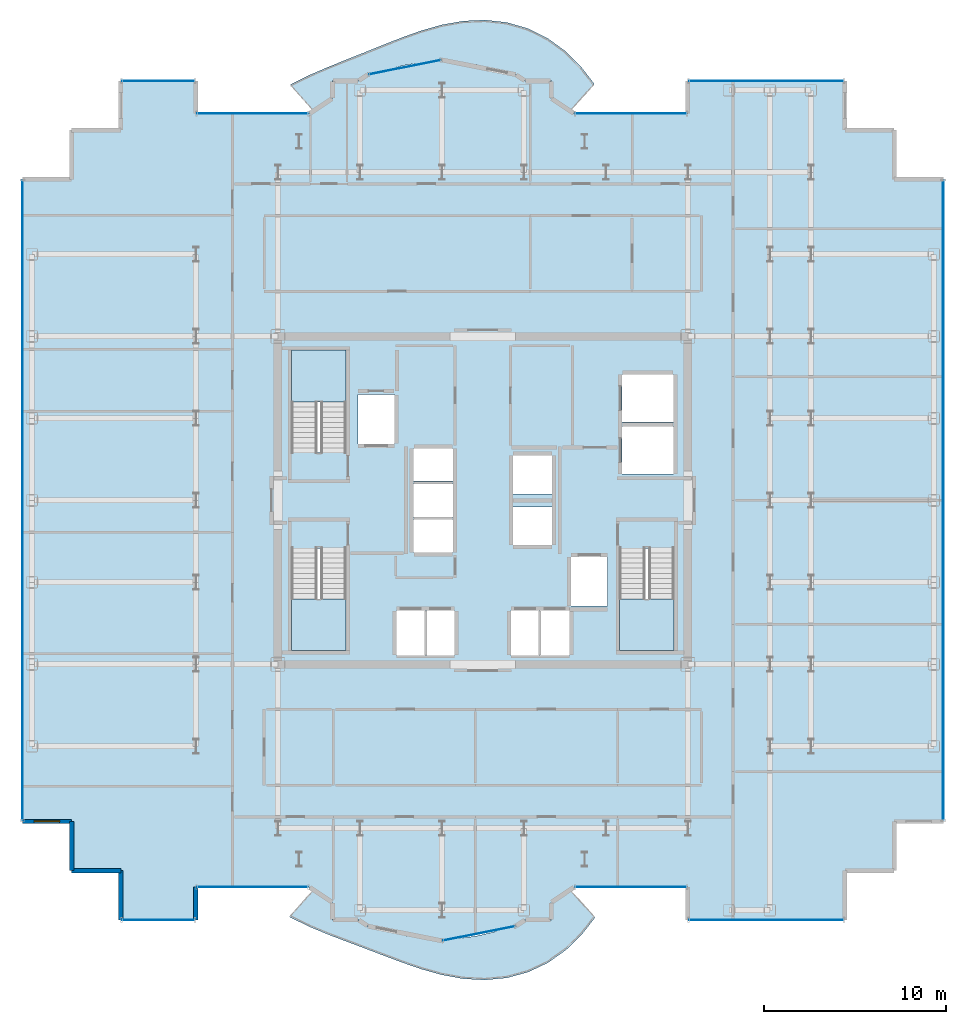
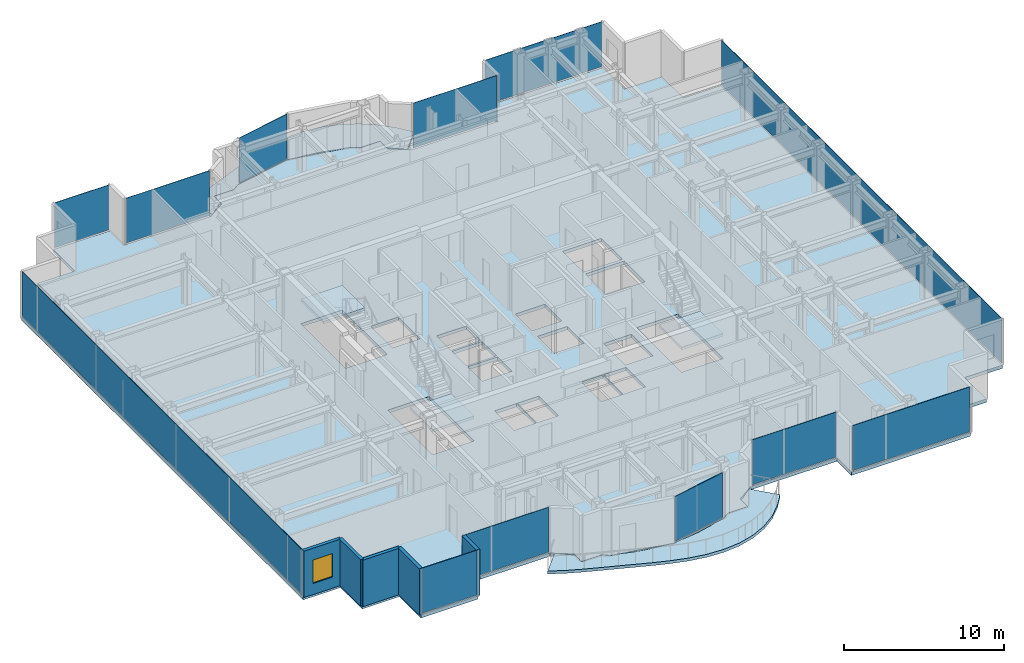
# One storey, part 13 of 21: 12 plates, 6 slabs, 5 walls, 1 window, 1 opening, 15 elements without a shape of their own.
"""IFC4 building model written with IfcOpenShell, lengths in metres."""

from ifc_helpers import new_model, si_unit, direction, frame, frame_2d, origin, origin_2d, place, context, subcontext, project, spatial, polyline, rectangle, outline, extrude, source, transform, mapped, material, layer, layer_set, type_object, element, fill, aggregate, save


model = new_model("IFC4")

# Units and contexts
model_context = context("Model", 3, precision=1e-05, world=origin(), true_north=direction((0.0, 1.0)))
body_context = subcontext(model_context, "Body", "Model", "MODEL_VIEW")
ifc_project = project(units=[si_unit("LENGTHUNIT", "METRE"), si_unit("AREAUNIT", "SQUARE_METRE"), si_unit("VOLUMEUNIT", "CUBIC_METRE"), si_unit("PLANEANGLEUNIT", "RADIAN"), si_unit("MASSUNIT", "GRAM", prefix="KILO")], contexts=[model_context])

# Site, building, storey
site_placement = place(None, origin())
site = spatial("IfcSite", under=ifc_project, at=site_placement, CompositionType="ELEMENT")
building_placement = place(site_placement, origin())
building = spatial("IfcBuilding", under=site, at=building_placement, Name="Nefas-Gora Pilgrimage Tower", CompositionType="ELEMENT")
storey_placement = place(building_placement, frame((0.0, 0.0, 210.39990234375)))
storey = spatial("IfcBuildingStorey", under=building, at=storey_placement, Name="L52", CompositionType="ELEMENT", Elevation=210.39990234375)

# Slabs
ifc_material_1 = material(Name="Concrete C40/50", Category="concrete")
ifc_layer_1 = layer(ifc_material_1, 0.219970703125)
ifc_layer_set_1 = layer_set([ifc_layer_1], Name="Concrete C40/50")
slab_type_1 = type_object("IfcSlabType", Name="SLB-BAL-P0", PredefinedType="FLOOR", material=ifc_layer_set_1)
slab_1_placement = place(storey_placement, frame((0.0, 0.0, -0.219970703125)))
element("IfcSlab", 1, at=slab_1_placement, inside=storey, type_object=slab_type_1, Name="L52 Sinusoidal Lobe Balcony Slab N (Phase 0)", PredefinedType="FLOOR", context=body_context, shape_type="SweptSolid", body=[
    extrude(outline(polyline([(-9.28759765625, 21.385986328125), (-9.224609375, 21.427978515625), (-8.538330078125, 21.9912109375), (-8.260009765625, 22.179931640625), (-8.260009765625, 23.02001953125), (-8.260009765625, 23.02099609375), (-8.259765625, 23.02197265625), (-8.259521484375, 23.02294921875), (-8.25927734375, 23.023681640625), (-8.2587890625, 23.024658203125), (-8.25830078125, 23.025634765625), (-8.2578125, 23.0263671875), (-8.257080078125, 23.027099609375), (-8.25634765625, 23.027587890625), (-8.255615234375, 23.0283203125), (-8.254638671875, 23.02880859375), (-8.25390625, 23.029296875), (-8.2529296875, 23.029541015625), (-8.251953125, 23.02978515625), (-8.2509765625, 23.030029296875), (-8.25, 23.030029296875), (-6.8271484375, 23.030029296875), (-6.31298828125, 23.37353515625), (-6.31201171875, 23.3740234375), (-6.311279296875, 23.37451171875), (-6.310302734375, 23.375), (-6.309326171875, 23.375), (-5.63037109375, 23.51025390625), (-5.102783203125, 23.685302734375), (-4.165283203125, 23.904052734375), (-3.211669921875, 24.035888671875), (-2.919921875, 24.04931640625), (-2.251953125, 24.18212890625), (-2.2509765625, 24.182373046875), (-2.25, 24.182373046875), (-2.2490234375, 24.182373046875), (-2.248046875, 24.18212890625), (-1.580078125, 24.04931640625), (-1.288330078125, 24.035888671875), (-0.334716796875, 23.904052734375), (0.602783203125, 23.685302734375), (1.13037109375, 23.51025390625), (1.809326171875, 23.375), (1.810302734375, 23.375), (1.811279296875, 23.37451171875), (1.81201171875, 23.3740234375), (1.81298828125, 23.37353515625), (2.3271484375, 23.030029296875), (3.75, 23.030029296875), (3.7509765625, 23.030029296875), (3.751953125, 23.02978515625), (3.7529296875, 23.029541015625), (3.75390625, 23.029296875), (3.754638671875, 23.02880859375), (3.755615234375, 23.0283203125), (3.75634765625, 23.027587890625), (3.757080078125, 23.027099609375), (3.7578125, 23.0263671875), (3.75830078125, 23.025634765625), (3.7587890625, 23.024658203125), (3.75927734375, 23.023681640625), (3.759521484375, 23.02294921875), (3.759765625, 23.02197265625), (3.760009765625, 23.02099609375), (3.760009765625, 23.02001953125), (3.760009765625, 22.179931640625), (4.038330078125, 21.9912109375), (4.724609375, 21.427978515625), (4.78759765625, 21.385986328125), (6.114013671875, 22.859375), (5.38720703125, 23.797607421875), (4.537109375, 24.6455078125), (3.562744140625, 25.357177734375), (2.48046875, 25.89306640625), (1.3203125, 26.2294921875), (0.120849609375, 26.3623046875), (-1.07958984375, 26.3076171875), (-2.25, 26.09912109375), (-3.3720703125, 25.78125), (-4.4423828125, 25.39990234375), (-5.471923828125, 24.993896484375), (-6.479248046875, 24.58740234375), (-7.485107421875, 24.18603515625), (-8.50439453125, 23.7763671875), (-9.539306640625, 23.331298828125), (-10.5751953125, 22.816162109375), (-9.28759765625, 21.385986328125)])), origin(), (0.0, 0.0, 1.0), 0.219970703125),
])
ifc_layer_2 = layer(ifc_material_1, 0.22509765625)
ifc_layer_set_2 = layer_set([ifc_layer_2], Name="Concrete C40/50")
slab_type_2 = type_object("IfcSlabType", Name="SLB-BAL-P4", PredefinedType="FLOOR", material=ifc_layer_set_2)
slab_2_placement = place(storey_placement, frame((0.0, 0.0, -0.224853515625)))
element("IfcSlab", 2, at=slab_2_placement, inside=storey, type_object=slab_type_2, Name="L52 Sinusoidal Lobe Balcony Slab S (Phase 4)", PredefinedType="FLOOR", context=body_context, shape_type="SweptSolid", body=[
    extrude(outline(polyline([(4.78759765625, -21.385986328125), (4.724609375, -21.427978515625), (4.038330078125, -21.9912109375), (3.760009765625, -22.179931640625), (3.760009765625, -23.02001953125), (3.760009765625, -23.02099609375), (3.759765625, -23.02197265625), (3.759521484375, -23.02294921875), (3.75927734375, -23.023681640625), (3.7587890625, -23.024658203125), (3.75830078125, -23.025634765625), (3.7578125, -23.0263671875), (3.757080078125, -23.027099609375), (3.75634765625, -23.027587890625), (3.755615234375, -23.0283203125), (3.754638671875, -23.02880859375), (3.75390625, -23.029296875), (3.7529296875, -23.029541015625), (3.751953125, -23.02978515625), (3.7509765625, -23.030029296875), (3.75, -23.030029296875), (2.3271484375, -23.030029296875), (1.81298828125, -23.37353515625), (1.81201171875, -23.3740234375), (1.811279296875, -23.37451171875), (1.810302734375, -23.375), (1.809326171875, -23.375), (1.13037109375, -23.51025390625), (0.602783203125, -23.685302734375), (-0.334716796875, -23.904052734375), (-1.288330078125, -24.035888671875), (-1.580078125, -24.04931640625), (-2.248046875, -24.18212890625), (-2.2490234375, -24.182373046875), (-2.25, -24.182373046875), (-2.2509765625, -24.182373046875), (-2.251953125, -24.18212890625), (-2.919921875, -24.04931640625), (-3.211669921875, -24.035888671875), (-4.165283203125, -23.904052734375), (-5.102783203125, -23.685302734375), (-5.63037109375, -23.51025390625), (-6.309326171875, -23.375), (-6.310302734375, -23.375), (-6.311279296875, -23.37451171875), (-6.31201171875, -23.3740234375), (-6.31298828125, -23.37353515625), (-6.8271484375, -23.030029296875), (-8.25, -23.030029296875), (-8.2509765625, -23.030029296875), (-8.251953125, -23.02978515625), (-8.2529296875, -23.029541015625), (-8.25390625, -23.029296875), (-8.254638671875, -23.02880859375), (-8.255615234375, -23.0283203125), (-8.25634765625, -23.027587890625), (-8.257080078125, -23.027099609375), (-8.2578125, -23.0263671875), (-8.25830078125, -23.025634765625), (-8.2587890625, -23.024658203125), (-8.25927734375, -23.023681640625), (-8.259521484375, -23.02294921875), (-8.259765625, -23.02197265625), (-8.260009765625, -23.02099609375), (-8.260009765625, -23.02001953125), (-8.260009765625, -22.179931640625), (-8.538330078125, -21.9912109375), (-9.224609375, -21.427978515625), (-9.28759765625, -21.385986328125), (-10.614013671875, -22.859375), (-9.57080078125, -23.373779296875), (-8.525390625, -23.810302734375), (-7.494384765625, -24.20458984375), (-6.478759765625, -24.58642578125), (-5.465576171875, -24.9716796875), (-4.43505859375, -25.359130859375), (-3.3671875, -25.7275390625), (-2.25, -26.041015625), (-1.08447265625, -26.25390625), (0.11328125, -26.321533203125), (1.314208984375, -26.20751953125), (2.47998046875, -25.89208984375), (3.572021484375, -25.375732421875), (4.55810546875, -24.6796875), (5.4189453125, -23.840087890625), (6.153076171875, -22.902587890625), (4.78759765625, -21.385986328125)])), origin(), (0.0, 0.0, 1.0), 0.224853515625),
])
ifc_layer_3 = layer(ifc_material_1, 0.25)
ifc_layer_set_3 = layer_set([ifc_layer_3], Name="Concrete C40/50")
slab_type_3 = type_object("IfcSlabType", Name="SLB-TWR-260", PredefinedType="FLOOR", material=ifc_layer_set_3)
slab_3_placement = place(storey_placement, frame((0.0, 0.0, -0.25)))
element("IfcSlab", 3, at=slab_3_placement, inside=storey, type_object=slab_type_3, Name="L52 Structural Floor Slab", PredefinedType="FLOOR", context=body_context, shape_type="SweptSolid", body=[
    extrude(outline(polyline([(5.01806640625, -21.219970703125), (11.25, -21.219970703125), (11.25, -23.02001953125), (19.8701171875, -23.02001953125), (19.8701171875, -20.320068359375), (22.570068359375, -20.320068359375), (22.570068359375, -17.6201171875), (25.27001953125, -17.6201171875), (25.27001953125, 17.6201171875), (22.570068359375, 17.6201171875), (22.570068359375, 20.320068359375), (19.8701171875, 20.320068359375), (19.8701171875, 23.02001953125), (11.25, 23.02001953125), (11.25, 21.219970703125), (5.01806640625, 21.219970703125), (3.75, 22.0673828125), (3.75, 23.02001953125), (2.32421875, 23.02001953125), (1.807373046875, 23.365234375), (-2.25, 24.17236328125), (-6.307373046875, 23.365234375), (-6.82421875, 23.02001953125), (-8.25, 23.02001953125), (-8.25, 22.0673828125), (-9.51806640625, 21.219970703125), (-15.75, 21.219970703125), (-15.75, 23.02001953125), (-19.8701171875, 23.02001953125), (-19.8701171875, 20.320068359375), (-22.570068359375, 20.320068359375), (-22.570068359375, 17.6201171875), (-25.27001953125, 17.6201171875), (-25.27001953125, -17.6201171875), (-22.570068359375, -17.6201171875), (-22.570068359375, -20.320068359375), (-19.8701171875, -20.320068359375), (-19.8701171875, -23.02001953125), (-15.75, -23.02001953125), (-15.75, -21.219970703125), (-9.51806640625, -21.219970703125), (-8.25, -22.0673828125), (-8.25, -23.02001953125), (-6.82421875, -23.02001953125), (-6.307373046875, -23.365234375), (-2.25, -24.17236328125), (1.807373046875, -23.365234375), (2.32421875, -23.02001953125), (3.75, -23.02001953125), (3.75, -22.0673828125), (5.01806640625, -21.219970703125)]), holes=[polyline([(-10.5, 2.639892578125), (-10.5, 8.25), (-7.5, 8.25), (-7.5, 2.639892578125), (-10.5, 2.639892578125)]), polyline([(10.5, -2.639892578125), (10.5, -8.25), (7.5, -8.25), (7.5, -2.639892578125), (10.5, -2.639892578125)]), polyline([(-7.5, -2.639892578125), (-7.5, -8.25), (-10.5, -8.25), (-10.5, -2.639892578125), (-7.5, -2.639892578125)]), polyline([(-6.85009765625, 5.800048828125), (-4.85009765625, 5.800048828125), (-4.85009765625, 3.10009765625), (-6.85009765625, 3.10009765625), (-6.85009765625, 5.800048828125)]), polyline([(4.85009765625, -3.10009765625), (6.85009765625, -3.10009765625), (6.85009765625, -5.800048828125), (4.85009765625, -5.800048828125), (4.85009765625, -3.10009765625)]), polyline([(7.64990234375, 4.050048828125), (10.449951171875, 4.050048828125), (10.449951171875, 1.449951171875), (7.64990234375, 1.449951171875), (7.64990234375, 4.050048828125)]), polyline([(7.64990234375, 6.89990234375), (10.449951171875, 6.89990234375), (10.449951171875, 4.300048828125), (7.64990234375, 4.300048828125), (7.64990234375, 6.89990234375)]), polyline([(-4.75, -6.050048828125), (-3.14990234375, -6.050048828125), (-3.14990234375, -8.5), (-4.75, -8.5), (-4.75, -6.050048828125)]), polyline([(-3.10009765625, -6.050048828125), (-1.550048828125, -6.050048828125), (-1.550048828125, -8.5), (-3.10009765625, -8.5), (-3.10009765625, -6.050048828125)]), polyline([(1.550048828125, -6.050048828125), (3.10009765625, -6.050048828125), (3.10009765625, -8.5), (1.550048828125, -8.5), (1.550048828125, -6.050048828125)]), polyline([(3.14990234375, -6.050048828125), (4.75, -6.050048828125), (4.75, -8.5), (3.14990234375, -8.5), (3.14990234375, -6.050048828125)]), polyline([(-3.800048828125, -1.050048828125), (-1.64990234375, -1.050048828125), (-1.64990234375, -2.85009765625), (-3.800048828125, -2.85009765625), (-3.800048828125, -1.050048828125)]), polyline([(-3.800048828125, 0.89990234375), (-1.64990234375, 0.89990234375), (-1.64990234375, -0.89990234375), (-3.800048828125, -0.89990234375), (-3.800048828125, 0.89990234375)]), polyline([(-3.800048828125, 2.85009765625), (-1.64990234375, 2.85009765625), (-1.64990234375, 1.050048828125), (-3.800048828125, 1.050048828125), (-3.800048828125, 2.85009765625)]), polyline([(1.64990234375, -0.35009765625), (3.800048828125, -0.35009765625), (3.800048828125, -2.449951171875), (1.64990234375, -2.449951171875), (1.64990234375, -0.35009765625)]), polyline([(1.64990234375, 2.449951171875), (3.800048828125, 2.449951171875), (3.800048828125, 0.35009765625), (1.64990234375, 0.35009765625), (1.64990234375, 2.449951171875)])]), origin(), (0.0, 0.0, 1.0), 0.25),
])

# Stair, slab
ifc_material_2 = material(Name="Concrete C45/55", Category="concrete")
stair_type = type_object("IfcStairType", Name="STR-1400-R1727", PredefinedType="HALF_TURN_STAIR", material=ifc_material_2)
stair_1_placement = place(storey_placement, origin())
stair_1 = element("IfcStair", 4, at=stair_1_placement, inside=storey, type_object=stair_type, Name="L52 Pressurised Tower Exit Stair ST-01", PredefinedType="HALF_TURN_STAIR")
ifc_layer_4 = layer(ifc_material_1, 0.199951171875)
ifc_layer_set_4 = layer_set([ifc_layer_4], Name="Concrete C40/50")
slab_type_4 = type_object("IfcSlabType", Name="STR-LAND-200", PredefinedType="LANDING", material=ifc_layer_set_4)
slab_4_placement = place(storey_placement, frame((0.0, 0.0, 1.7001953125)))
slab_4 = element("IfcSlab", 5, at=slab_4_placement, type_object=slab_type_4, Name="ST-01 landing 1", PredefinedType="LANDING", context=body_context, shape_type="SweptSolid", body=[
    extrude(outline(polyline([(-7.5, 5.39990234375), (-7.5, 8.25), (-10.5, 8.25), (-10.5, 5.39990234375), (-7.5, 5.39990234375)])), origin(), (0.0, 0.0, 1.0), 0.199951171875),
])
aggregate(stair_1, [slab_4])

stair_2_placement = place(storey_placement, origin())
stair_2 = element("IfcStair", 6, at=stair_2_placement, inside=storey, type_object=stair_type, Name="L52 Pressurised Tower Exit Stair ST-02", PredefinedType="HALF_TURN_STAIR")
slab_5_placement = place(storey_placement, frame((0.0, 0.0, 1.7001953125)))
slab_5 = element("IfcSlab", 7, at=slab_5_placement, type_object=slab_type_4, Name="ST-02 landing 1", PredefinedType="LANDING", context=body_context, shape_type="SweptSolid", body=[
    extrude(outline(polyline([(7.5, -5.39990234375), (7.5, -8.25), (10.5, -8.25), (10.5, -5.39990234375), (7.5, -5.39990234375)])), origin(), (0.0, 0.0, 1.0), 0.199951171875),
])
aggregate(stair_2, [slab_5])

stair_3_placement = place(storey_placement, origin())
stair_3 = element("IfcStair", 8, at=stair_3_placement, inside=storey, type_object=stair_type, Name="L52 Pressurised Tower Exit Stair ST-03", PredefinedType="HALF_TURN_STAIR")
slab_6_placement = place(storey_placement, frame((0.0, 0.0, 1.7001953125)))
slab_6 = element("IfcSlab", 9, at=slab_6_placement, type_object=slab_type_4, Name="ST-03 landing 1", PredefinedType="LANDING", context=body_context, shape_type="SweptSolid", body=[
    extrude(outline(polyline([(-10.5, -5.39990234375), (-10.5, -8.25), (-7.5, -8.25), (-7.5, -5.39990234375), (-10.5, -5.39990234375)])), origin(), (0.0, 0.0, 1.0), 0.199951171875),
])
aggregate(stair_3, [slab_6])

# Curtain wall, plate
ifc_material_3 = material(Name="Dark ceramic-fritted solar-control aluminium-glass curtain wall", Category="aluminium")
ifc_layer_5 = layer(ifc_material_3, 0.219970703125)
ifc_layer_set_5 = layer_set([ifc_layer_5], Name="Dark ceramic-fritted solar-control aluminium-glass curtain wall")
curtain_wall_type_1 = type_object("IfcCurtainWallType", Name="CW-SYS-5", PredefinedType="NOTDEFINED", material=ifc_layer_set_5)
curtain_wall_1_placement = place(storey_placement, origin())
curtain_wall_1 = element("IfcCurtainWall", 10, at=curtain_wall_1_placement, inside=storey, type_object=curtain_wall_type_1, Name="L52 Unitised Curtain Wall CW5", PredefinedType="NOTDEFINED")
ifc_material_4 = material(Name="Dark ceramic-printed low-e insulated glass", Category="glass")
ifc_layer_6 = layer(ifc_material_4, 0.028076171875)
ifc_layer_set_6 = layer_set([ifc_layer_6], Name="Dark ceramic-printed low-e insulated glass")
plate_type_1 = type_object("IfcPlateType", Name="CWP-PNL-5", PredefinedType="CURTAIN_PANEL", material=ifc_layer_set_6)
shared_shape_1 = source(origin(), body_context, "Body", "SweptSolid", [
    extrude(rectangle(XDim=6.052001953125, YDim=0.028076171875, at=origin_2d()), origin(), (0.0, 0.0, 1.0), 3.43994140625),
])
plate_1_placement = place(storey_placement, frame((8.134033203125, -21.219970703125, 0.10009765625), z_axis=(0.0, 0.0, 1.0), x_axis=(1.0, 0.0, 0.0)))
plate_1 = element("IfcPlate", 11, at=plate_1_placement, type_object=plate_type_1, Name="CW5 Ceramic-Fritted Glazing Panel 1", PredefinedType="CURTAIN_PANEL", context=body_context, shape_type="MappedRepresentation", body=[
    mapped(shared_shape_1, transform((0.0, 0.0, 0.0), x_axis=(1.0, 0.0, 0.0), y_axis=(0.0, 1.0, 0.0), z_axis=(0.0, 0.0, 1.0), scale=1.0)),
])
aggregate(curtain_wall_1, [plate_1])

curtain_wall_2_placement = place(storey_placement, origin())
curtain_wall_2 = element("IfcCurtainWall", 12, at=curtain_wall_2_placement, inside=storey, type_object=curtain_wall_type_1, Name="L52 Unitised Curtain Wall CW5", PredefinedType="NOTDEFINED")
plate_2_placement = place(storey_placement, frame((8.134033203125, 21.219970703125, 0.10009765625), z_axis=(0.0, 0.0, 1.0), x_axis=(-1.0, 0.0, 0.0)))
plate_2 = element("IfcPlate", 13, at=plate_2_placement, type_object=plate_type_1, Name="CW5 Ceramic-Fritted Glazing Panel 1", PredefinedType="CURTAIN_PANEL", context=body_context, shape_type="MappedRepresentation", body=[
    mapped(shared_shape_1, transform((0.0, 0.0, 0.0), x_axis=(1.0, 0.0, 0.0), y_axis=(0.0, 1.0, 0.0), z_axis=(0.0, 0.0, 1.0), scale=1.0)),
])
aggregate(curtain_wall_2, [plate_2])

curtain_wall_3_placement = place(storey_placement, origin())
curtain_wall_3 = element("IfcCurtainWall", 14, at=curtain_wall_3_placement, inside=storey, type_object=curtain_wall_type_1, Name="L52 Unitised Curtain Wall CW5", PredefinedType="NOTDEFINED")
plate_3_placement = place(storey_placement, frame((-12.634033203125, 21.219970703125, 0.10009765625), z_axis=(0.0, 0.0, 1.0), x_axis=(-1.0, 0.0, 0.0)))
plate_3 = element("IfcPlate", 15, at=plate_3_placement, type_object=plate_type_1, Name="CW5 Ceramic-Fritted Glazing Panel 1", PredefinedType="CURTAIN_PANEL", context=body_context, shape_type="MappedRepresentation", body=[
    mapped(shared_shape_1, transform((0.0, 0.0, 0.0), x_axis=(1.0, 0.0, 0.0), y_axis=(0.0, 1.0, 0.0), z_axis=(0.0, 0.0, 1.0), scale=1.0)),
])
aggregate(curtain_wall_3, [plate_3])

curtain_wall_4_placement = place(storey_placement, origin())
curtain_wall_4 = element("IfcCurtainWall", 16, at=curtain_wall_4_placement, inside=storey, type_object=curtain_wall_type_1, Name="L52 Unitised Curtain Wall CW5", PredefinedType="NOTDEFINED")
plate_4_placement = place(storey_placement, frame((-12.634033203125, -21.219970703125, 0.10009765625), z_axis=(0.0, 0.0, 1.0), x_axis=(1.0, 0.0, 0.0)))
plate_4 = element("IfcPlate", 17, at=plate_4_placement, type_object=plate_type_1, Name="CW5 Ceramic-Fritted Glazing Panel 1", PredefinedType="CURTAIN_PANEL", context=body_context, shape_type="MappedRepresentation", body=[
    mapped(shared_shape_1, transform((0.0, 0.0, 0.0), x_axis=(1.0, 0.0, 0.0), y_axis=(0.0, 1.0, 0.0), z_axis=(0.0, 0.0, 1.0), scale=1.0)),
])
aggregate(curtain_wall_4, [plate_4])

curtain_wall_5_placement = place(storey_placement, origin())
curtain_wall_5 = element("IfcCurtainWall", 18, at=curtain_wall_5_placement, inside=storey, type_object=curtain_wall_type_1, Name="L52 Unitised Curtain Wall CW5", PredefinedType="NOTDEFINED")
shared_shape_2 = source(origin(), body_context, "Body", "SweptSolid", [
    extrude(rectangle(XDim=3.956787109375, YDim=0.028076171875, at=origin_2d()), origin(), (0.0, 0.0, 1.0), 3.43994140625),
])
plate_5_placement = place(storey_placement, frame((-4.278564453125, 23.768798828125, 0.10009765625), z_axis=(0.0, 0.0, 1.0), x_axis=(-0.980782896852, -0.195102304554, 0.0)))
plate_5 = element("IfcPlate", 19, at=plate_5_placement, type_object=plate_type_1, Name="CW5 Ceramic-Fritted Glazing Panel 1", PredefinedType="CURTAIN_PANEL", context=body_context, shape_type="MappedRepresentation", body=[
    mapped(shared_shape_2, transform((0.0, 0.0, 0.0), x_axis=(1.0, 0.0, 0.0), y_axis=(0.0, 1.0, 0.0), z_axis=(0.0, 0.0, 1.0), scale=1.0)),
])
aggregate(curtain_wall_5, [plate_5])

curtain_wall_6_placement = place(storey_placement, origin())
curtain_wall_6 = element("IfcCurtainWall", 20, at=curtain_wall_6_placement, inside=storey, type_object=curtain_wall_type_1, Name="L52 Unitised Curtain Wall CW5", PredefinedType="NOTDEFINED")
plate_6_placement = place(storey_placement, frame((-0.221435546875, -23.768798828125, 0.10009765625), z_axis=(0.0, 0.0, 1.0), x_axis=(0.980782896852, 0.195102304554, 0.0)))
plate_6 = element("IfcPlate", 21, at=plate_6_placement, type_object=plate_type_1, Name="CW5 Ceramic-Fritted Glazing Panel 1", PredefinedType="CURTAIN_PANEL", context=body_context, shape_type="MappedRepresentation", body=[
    mapped(shared_shape_2, transform((0.0, 0.0, 0.0), x_axis=(1.0, 0.0, 0.0), y_axis=(0.0, 1.0, 0.0), z_axis=(0.0, 0.0, 1.0), scale=1.0)),
])
aggregate(curtain_wall_6, [plate_6])

ifc_layer_7 = layer(ifc_material_3, 0.219970703125)
ifc_layer_set_7 = layer_set([ifc_layer_7], Name="Dark ceramic-fritted solar-control aluminium-glass curtain wall")
curtain_wall_type_2 = type_object("IfcCurtainWallType", Name="CW-SYS-3", PredefinedType="NOTDEFINED", material=ifc_layer_set_7)
curtain_wall_7_placement = place(storey_placement, origin())
curtain_wall_7 = element("IfcCurtainWall", 22, at=curtain_wall_7_placement, inside=storey, type_object=curtain_wall_type_2, Name="L52 Unitised Curtain Wall CW3", PredefinedType="NOTDEFINED")
ifc_layer_8 = layer(ifc_material_4, 0.033935546875)
ifc_layer_set_8 = layer_set([ifc_layer_8], Name="Dark ceramic-printed low-e insulated glass")
plate_type_2 = type_object("IfcPlateType", Name="CWP-PNL-3", PredefinedType="CURTAIN_PANEL", material=ifc_layer_set_8)
shared_shape_3 = source(origin(), body_context, "Body", "SweptSolid", [
    extrude(rectangle(XDim=8.43994140625, YDim=0.033935546875, at=origin_2d()), origin(), (0.0, 0.0, 1.0), 3.43994140625),
])
plate_7_placement = place(storey_placement, frame((15.56005859375, -23.02001953125, 0.10009765625), z_axis=(0.0, 0.0, 1.0), x_axis=(1.0, 0.0, 0.0)))
plate_7 = element("IfcPlate", 23, at=plate_7_placement, type_object=plate_type_2, Name="CW3 Ceramic-Fritted Glazing Panel 1", PredefinedType="CURTAIN_PANEL", context=body_context, shape_type="MappedRepresentation", body=[
    mapped(shared_shape_3, transform((0.0, 0.0, 0.0), x_axis=(1.0, 0.0, 0.0), y_axis=(0.0, 1.0, 0.0), z_axis=(0.0, 0.0, 1.0), scale=1.0)),
])
aggregate(curtain_wall_7, [plate_7])

curtain_wall_8_placement = place(storey_placement, origin())
curtain_wall_8 = element("IfcCurtainWall", 24, at=curtain_wall_8_placement, inside=storey, type_object=curtain_wall_type_2, Name="L52 Unitised Curtain Wall CW3", PredefinedType="NOTDEFINED")
plate_8_placement = place(storey_placement, frame((15.56005859375, 23.02001953125, 0.10009765625), z_axis=(0.0, 0.0, 1.0), x_axis=(-1.0, 0.0, 0.0)))
plate_8 = element("IfcPlate", 25, at=plate_8_placement, type_object=plate_type_2, Name="CW3 Ceramic-Fritted Glazing Panel 1", PredefinedType="CURTAIN_PANEL", context=body_context, shape_type="MappedRepresentation", body=[
    mapped(shared_shape_3, transform((0.0, 0.0, 0.0), x_axis=(1.0, 0.0, 0.0), y_axis=(0.0, 1.0, 0.0), z_axis=(0.0, 0.0, 1.0), scale=1.0)),
])
aggregate(curtain_wall_8, [plate_8])

curtain_wall_9_placement = place(storey_placement, origin())
curtain_wall_9 = element("IfcCurtainWall", 26, at=curtain_wall_9_placement, inside=storey, type_object=curtain_wall_type_2, Name="L52 Unitised Curtain Wall CW3", PredefinedType="NOTDEFINED")
shared_shape_4 = source(origin(), body_context, "Body", "SweptSolid", [
    extrude(rectangle(XDim=35.06005859375, YDim=0.033935546875, at=origin_2d()), origin(), (0.0, 0.0, 1.0), 3.43994140625),
])
plate_9_placement = place(storey_placement, frame((25.27001953125, 0.0, 0.10009765625), z_axis=(0.0, 0.0, 1.0), x_axis=(0.0, 1.0, 0.0)))
plate_9 = element("IfcPlate", 27, at=plate_9_placement, type_object=plate_type_2, Name="CW3 Ceramic-Fritted Glazing Panel 1", PredefinedType="CURTAIN_PANEL", context=body_context, shape_type="MappedRepresentation", body=[
    mapped(shared_shape_4, transform((0.0, 0.0, 0.0), x_axis=(1.0, 0.0, 0.0), y_axis=(0.0, 1.0, 0.0), z_axis=(0.0, 0.0, 1.0), scale=1.0)),
])
aggregate(curtain_wall_9, [plate_9])

curtain_wall_10_placement = place(storey_placement, origin())
curtain_wall_10 = element("IfcCurtainWall", 28, at=curtain_wall_10_placement, inside=storey, type_object=curtain_wall_type_2, Name="L52 Unitised Curtain Wall CW3", PredefinedType="NOTDEFINED")
plate_10_placement = place(storey_placement, frame((-25.27001953125, 0.0, 0.10009765625), z_axis=(0.0, 0.0, 1.0), x_axis=(0.0, -1.0, 0.0)))
plate_10 = element("IfcPlate", 29, at=plate_10_placement, type_object=plate_type_2, Name="CW3 Ceramic-Fritted Glazing Panel 1", PredefinedType="CURTAIN_PANEL", context=body_context, shape_type="MappedRepresentation", body=[
    mapped(shared_shape_4, transform((0.0, 0.0, 0.0), x_axis=(1.0, 0.0, 0.0), y_axis=(0.0, 1.0, 0.0), z_axis=(0.0, 0.0, 1.0), scale=1.0)),
])
aggregate(curtain_wall_10, [plate_10])

curtain_wall_11_placement = place(storey_placement, origin())
curtain_wall_11 = element("IfcCurtainWall", 30, at=curtain_wall_11_placement, inside=storey, type_object=curtain_wall_type_2, Name="L52 Unitised Curtain Wall CW3", PredefinedType="NOTDEFINED")
shared_shape_5 = source(origin(), body_context, "Body", "SweptSolid", [
    extrude(rectangle(XDim=3.93994140625, YDim=0.033935546875, at=origin_2d()), origin(), (0.0, 0.0, 1.0), 3.43994140625),
])
plate_11_placement = place(storey_placement, frame((-17.81005859375, 23.02001953125, 0.10009765625), z_axis=(0.0, 0.0, 1.0), x_axis=(-1.0, 0.0, 0.0)))
plate_11 = element("IfcPlate", 31, at=plate_11_placement, type_object=plate_type_2, Name="CW3 Ceramic-Fritted Glazing Panel 1", PredefinedType="CURTAIN_PANEL", context=body_context, shape_type="MappedRepresentation", body=[
    mapped(shared_shape_5, transform((0.0, 0.0, 0.0), x_axis=(1.0, 0.0, 0.0), y_axis=(0.0, 1.0, 0.0), z_axis=(0.0, 0.0, 1.0), scale=1.0)),
])
aggregate(curtain_wall_11, [plate_11])

curtain_wall_12_placement = place(storey_placement, origin())
curtain_wall_12 = element("IfcCurtainWall", 32, at=curtain_wall_12_placement, inside=storey, type_object=curtain_wall_type_2, Name="L52 Unitised Curtain Wall CW3", PredefinedType="NOTDEFINED")
plate_12_placement = place(storey_placement, frame((-17.81005859375, -23.02001953125, 0.10009765625), z_axis=(0.0, 0.0, 1.0), x_axis=(1.0, 0.0, 0.0)))
plate_12 = element("IfcPlate", 33, at=plate_12_placement, type_object=plate_type_2, Name="CW3 Ceramic-Fritted Glazing Panel 1", PredefinedType="CURTAIN_PANEL", context=body_context, shape_type="MappedRepresentation", body=[
    mapped(shared_shape_5, transform((0.0, 0.0, 0.0), x_axis=(1.0, 0.0, 0.0), y_axis=(0.0, 1.0, 0.0), z_axis=(0.0, 0.0, 1.0), scale=1.0)),
])
aggregate(curtain_wall_12, [plate_12])

# Wall
ifc_material_5 = material(Name="Precast concrete C40/50", Category="concrete")
ifc_layer_9 = layer(ifc_material_5, 0.260009765625)
ifc_layer_set_9 = layer_set([ifc_layer_9], Name="Precast concrete C40/50")
wall_type_1 = type_object("IfcWallType", Name="EW-PORTAL-260", PredefinedType="SOLIDWALL", material=ifc_layer_set_9)
shared_shape_6 = source(origin(), body_context, "Body", "SweptSolid", [
    extrude(rectangle(XDim=1.800048828125, YDim=0.260009765625, at=frame_2d((0.89990234375, 0.0))), origin(), (0.0, 0.0, 1.0), 3.550048828125),
])
wall_1_placement = place(storey_placement, frame((-15.75, -23.02001953125, 0.0), z_axis=(0.0, 0.0, 1.0), x_axis=(0.0, 1.0, 0.0)))
element("IfcWall", 34, at=wall_1_placement, inside=storey, type_object=wall_type_1, Name="L52 Lobe Shoulder Precast Spandrel Pier 29", PredefinedType="SOLIDWALL", context=body_context, shape_type="MappedRepresentation", body=[
    mapped(shared_shape_6, transform((0.0, 0.0, 0.0), x_axis=(1.0, 0.0, 0.0), y_axis=(0.0, 1.0, 0.0), z_axis=(0.0, 0.0, 1.0), scale=1.0)),
])

# Wall, opening, window
ifc_material_6 = material(Name="Precast concrete C45/55", Category="concrete")
ifc_layer_10 = layer(ifc_material_6, 0.239990234375)
ifc_layer_set_10 = layer_set([ifc_layer_10], Name="Precast concrete C45/55")
wall_type_2 = type_object("IfcWallType", Name="EW-SERR-240", PredefinedType="SHEAR", material=ifc_layer_set_10)
shared_shape_7 = source(origin(), body_context, "Body", "SweptSolid", [
    extrude(rectangle(XDim=2.699951171875, YDim=0.239990234375, at=frame_2d((1.35009765625, 0.0))), origin(), (0.0, 0.0, 1.0), 3.550048828125),
])
wall_2_placement = place(storey_placement, frame((-25.27001953125, -17.6201171875, 0.0), z_axis=(0.0, 0.0, 1.0), x_axis=(1.0, 0.0, 0.0)))
wall_2 = element("IfcWall", 35, at=wall_2_placement, inside=storey, type_object=wall_type_2, Name="L52 Serrated Corner Shear Pier Wall 25", PredefinedType="SHEAR", context=body_context, shape_type="MappedRepresentation", body=[
    mapped(shared_shape_7, transform((0.0, 0.0, 0.0), x_axis=(1.0, 0.0, 0.0), y_axis=(0.0, 1.0, 0.0), z_axis=(0.0, 0.0, 1.0), scale=1.0)),
])
opening_placement = place(wall_2_placement, frame((0.64990234375, 0.0, 0.85009765625)))
opening = element("IfcOpeningElement", 36, at=opening_placement, cuts=wall_2, Name="Opening W-V2", PredefinedType="OPENING", context=body_context, shape_type="SweptSolid", body=[
    extrude(rectangle(XDim=1.39990234375, YDim=1.800048828125, at=frame_2d((0.699951171875, 0.89990234375))), frame((0.0, 0.1298828125, 0.0), z_axis=(0.0, -1.0, 0.0), x_axis=(1.0, 0.0, 0.0)), (0.0, 0.0, 1.0), 0.260009765625),
])
ifc_material_7 = material(Name="Dark ceramic-fritted operable aluminium-glass window", Category="aluminium")
window_type = type_object("IfcWindowType", Name="WIN-VENT-1400x1800", PartitioningType="SINGLE_PANEL", PredefinedType="WINDOW", material=ifc_material_7)
shared_shape_8 = source(origin(), body_context, "Body", "SweptSolid", [
    extrude(rectangle(XDim=1.39990234375, YDim=1.800048828125, at=frame_2d((0.699951171875, 0.89990234375))), frame((0.0, 0.030029296875, 0.0), z_axis=(0.0, -1.0, 0.0), x_axis=(1.0, 0.0, 0.0)), (0.0, 0.0, 1.0), 0.06005859375),
])
window_placement = place(opening_placement, origin())
window = element("IfcWindow", 37, at=window_placement, inside=storey, type_object=window_type, Name="L52 Operable Parallel-Outswing Window 25", OverallHeight=1.800048828125, OverallWidth=1.39990234375, PartitioningType="SINGLE_PANEL", PredefinedType="WINDOW", context=body_context, shape_type="MappedRepresentation", body=[
    mapped(shared_shape_8, transform((0.0, 0.0, 0.0), x_axis=(1.0, 0.0, 0.0), y_axis=(0.0, 1.0, 0.0), z_axis=(0.0, 0.0, 1.0), scale=1.0)),
])
fill(opening, window)

# Walls
for number, where, z_axis, x_axis, name in (
    (38, (-22.570068359375, -17.6201171875, 0.0), (0.0, 0.0, 1.0), (0.0, -1.0, 0.0), "L52 Serrated Corner Shear Pier Wall 26"),
    (39, (-22.570068359375, -20.320068359375, 0.0), (0.0, 0.0, 1.0), (1.0, 0.0, 0.0), "L52 Serrated Corner Shear Pier Wall 27"),
    (40, (-19.8701171875, -20.320068359375, 0.0), (0.0, 0.0, 1.0), (0.0, -1.0, 0.0), "L52 Serrated Corner Shear Pier Wall 28"),
):
    element("IfcWall", number, at=place(storey_placement, frame(where, z_axis=z_axis, x_axis=x_axis)), inside=storey, type_object=wall_type_2, Name=name, PredefinedType="SHEAR", context=body_context, shape_type="MappedRepresentation", body=[
        mapped(shared_shape_7, transform((0.0, 0.0, 0.0), x_axis=(1.0, 0.0, 0.0), y_axis=(0.0, 1.0, 0.0), z_axis=(0.0, 0.0, 1.0), scale=1.0)),
    ])

save(model, "model.ifc")
